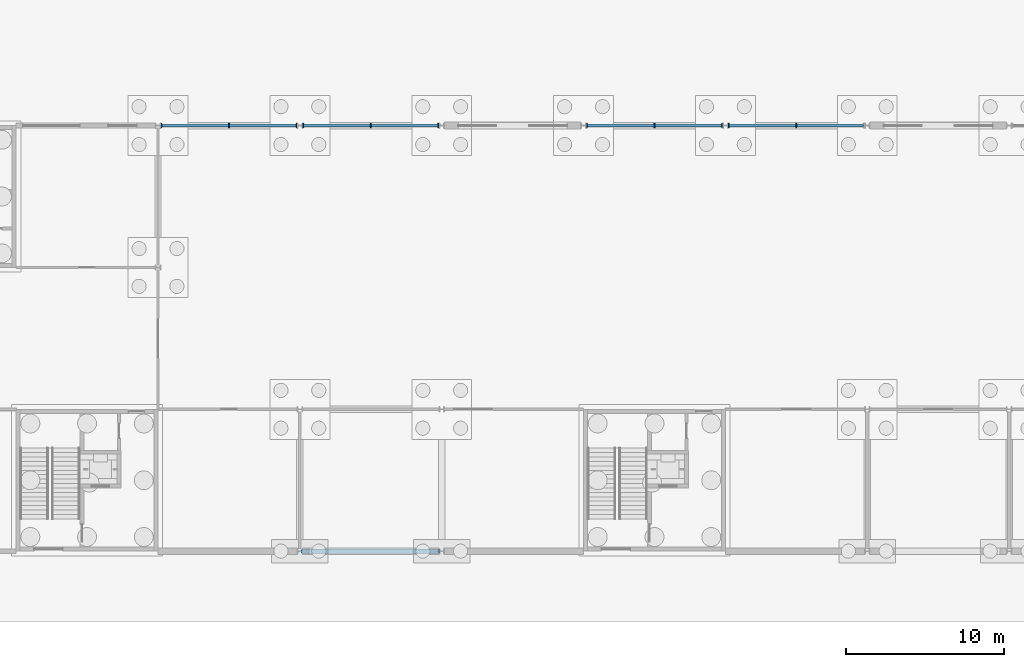
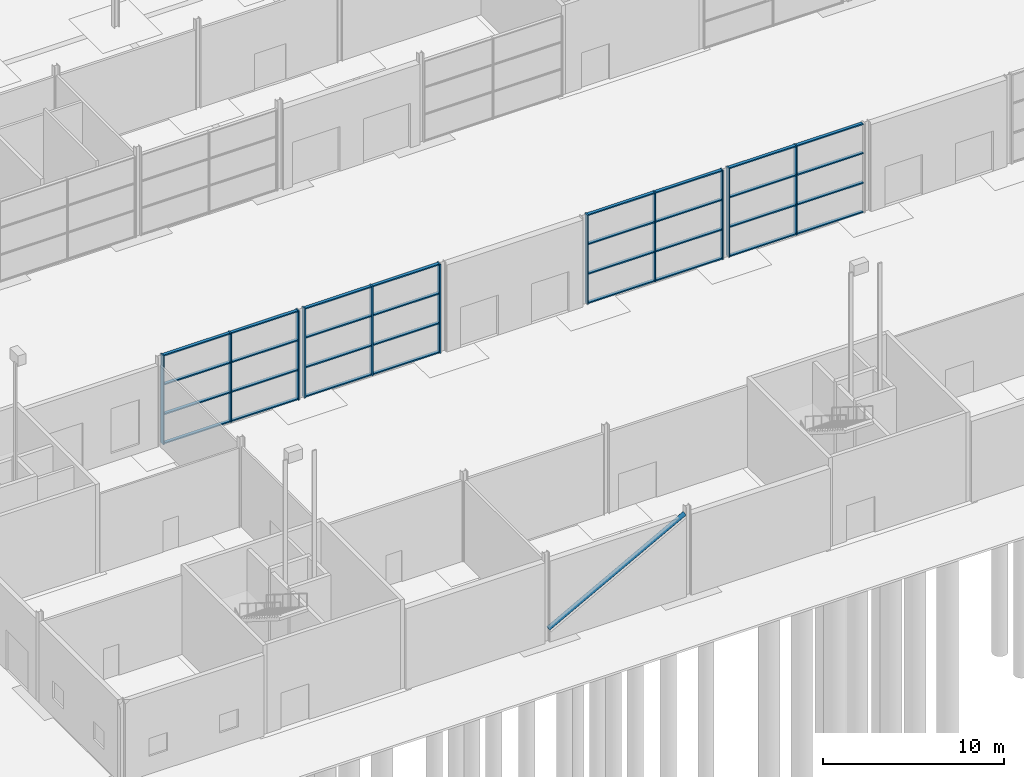
# One storey, part 32 of 97: 44 members, 4 elements without a shape of their own.
"""IFC4 building model written with IfcOpenShell, lengths in metres."""

from ifc_helpers import new_model, si_unit, direction, frame, origin, origin_2d, place, context, subcontext, project, spatial, rectangle, hollow_circle, extrude, material, layer, layer_set, material_profile, profile_set, type_object, element, aggregate, save


model = new_model("IFC4")

# Units and contexts
model_context = context("Model", 3, precision=1e-05, world=origin(), true_north=direction((0.0, 1.0)))
body_context = subcontext(model_context, "Body", "Model", "MODEL_VIEW")
ifc_project = project(units=[si_unit("LENGTHUNIT", "METRE"), si_unit("AREAUNIT", "SQUARE_METRE"), si_unit("VOLUMEUNIT", "CUBIC_METRE"), si_unit("PLANEANGLEUNIT", "RADIAN"), si_unit("MASSUNIT", "GRAM", prefix="KILO")], contexts=[model_context])

# Site, building, storey
site_placement = place(None, origin())
site = spatial("IfcSite", under=ifc_project, at=site_placement, CompositionType="ELEMENT")
building_placement = place(site_placement, origin())
building = spatial("IfcBuilding", under=site, at=building_placement, Name="Corbel Yard City Hall", CompositionType="ELEMENT")
storey_placement = place(building_placement, origin())
storey = spatial("IfcBuildingStorey", under=building, at=storey_placement, Name="L00", CompositionType="ELEMENT", Elevation=0.0)

# Member
ifc_material_1 = material(Name="Steel Grade C350L0", Category="steel")
ifc_material_profile_1 = material_profile(ifc_material_1, hollow_circle(Radius=0.136474609375, WallThickness=0.00927734375, at=origin_2d()), Name="273.1x9.3CHS")
ifc_profile_set_1 = profile_set([ifc_material_profile_1], Name="Steel Grade C350L0")
member_type_1 = type_object("IfcMemberType", Name="Braced bay diagonal 273.1x9.3CHS", PredefinedType="BRACE", material=ifc_profile_set_1)
member_1_placement = place(storey_placement, frame((27.157470703125, 0.0, 0.800048828125), z_axis=(0.879480850813, 0.0, 0.47593427388), x_axis=(0.0, 1.0, 0.0)))
element("IfcMember", 1, at=member_1_placement, inside=storey, type_object=member_type_1, Name="Brace 273.1x9.3CHS BR1", PredefinedType="BRACE", context=body_context, shape_type="SweptSolid", body=[
    extrude(hollow_circle(Radius=0.136474609375, WallThickness=0.00927734375, at=origin_2d()), origin(), (0.0, 0.0, 1.0), 9.875244140625),
])

# Curtain wall, members
ifc_material_2 = material(Name="Aluminium extrusion", Category="aluminium")
ifc_layer = layer(ifc_material_2, 0.300048828125)
ifc_layer_set = layer_set([ifc_layer], Name="Aluminium extrusion")
curtain_wall_type = type_object("IfcCurtainWallType", Name="CW7", PredefinedType="USERDEFINED", material=ifc_layer_set)
curtain_wall_1_placement = place(storey_placement, origin())
curtain_wall_1 = element("IfcCurtainWall", 2, at=curtain_wall_1_placement, inside=storey, type_object=curtain_wall_type, Name="Curtain wall CW7 L00", ObjectType="CURTAIN WALL", PredefinedType="USERDEFINED")
ifc_material_profile_2 = material_profile(ifc_material_2, rectangle(XDim=0.300048828125, YDim=0.080078125, at=origin_2d()), Name="300x80")
ifc_profile_set_2 = profile_set([ifc_material_profile_2], Name="Aluminium extrusion")
member_type_2 = type_object("IfcMemberType", Name="ML7", PredefinedType="MULLION", material=ifc_profile_set_2)
member_2_placement = place(storey_placement, frame((18.20361328125, 27.0, 0.0), z_axis=(0.0, 0.0, 1.0), x_axis=(0.0, 1.0, 0.0)))
member_2 = element("IfcMember", 3, at=member_2_placement, type_object=member_type_2, Name="CW7 mullion 1", PredefinedType="MULLION", context=body_context, shape_type="SweptSolid", body=[
    extrude(rectangle(XDim=0.300048828125, YDim=0.080078125, at=origin_2d()), origin(), (0.0, 0.0, 1.0), 6.0),
])
member_3_placement = place(storey_placement, frame((22.5, 27.0, 0.0), z_axis=(0.0, 0.0, 1.0), x_axis=(0.0, 1.0, 0.0)))
member_3 = element("IfcMember", 4, at=member_3_placement, type_object=member_type_2, Name="CW7 mullion 2", PredefinedType="MULLION", context=body_context, shape_type="SweptSolid", body=[
    extrude(rectangle(XDim=0.300048828125, YDim=0.080078125, at=origin_2d()), origin(), (0.0, 0.0, 1.0), 6.0),
])
member_4_placement = place(storey_placement, frame((26.79638671875, 27.0, 0.0), z_axis=(0.0, 0.0, 1.0), x_axis=(0.0, 1.0, 0.0)))
member_4 = element("IfcMember", 5, at=member_4_placement, type_object=member_type_2, Name="CW7 mullion 3", PredefinedType="MULLION", context=body_context, shape_type="SweptSolid", body=[
    extrude(rectangle(XDim=0.300048828125, YDim=0.080078125, at=origin_2d()), origin(), (0.0, 0.0, 1.0), 6.0),
])

curtain_wall_2_placement = place(storey_placement, origin())
curtain_wall_2 = element("IfcCurtainWall", 6, at=curtain_wall_2_placement, inside=storey, type_object=curtain_wall_type, Name="Curtain wall CW7 L00", ObjectType="CURTAIN WALL", PredefinedType="USERDEFINED")
member_5_placement = place(storey_placement, frame((27.20361328125, 27.0, 0.0), z_axis=(0.0, 0.0, 1.0), x_axis=(0.0, 1.0, 0.0)))
member_5 = element("IfcMember", 7, at=member_5_placement, type_object=member_type_2, Name="CW7 mullion 1", PredefinedType="MULLION", context=body_context, shape_type="SweptSolid", body=[
    extrude(rectangle(XDim=0.300048828125, YDim=0.080078125, at=origin_2d()), origin(), (0.0, 0.0, 1.0), 6.0),
])
member_6_placement = place(storey_placement, frame((31.5, 27.0, 0.0), z_axis=(0.0, 0.0, 1.0), x_axis=(0.0, 1.0, 0.0)))
member_6 = element("IfcMember", 8, at=member_6_placement, type_object=member_type_2, Name="CW7 mullion 2", PredefinedType="MULLION", context=body_context, shape_type="SweptSolid", body=[
    extrude(rectangle(XDim=0.300048828125, YDim=0.080078125, at=origin_2d()), origin(), (0.0, 0.0, 1.0), 6.0),
])
member_7_placement = place(storey_placement, frame((35.79638671875, 27.0, 0.0), z_axis=(0.0, 0.0, 1.0), x_axis=(0.0, 1.0, 0.0)))
member_7 = element("IfcMember", 9, at=member_7_placement, type_object=member_type_2, Name="CW7 mullion 3", PredefinedType="MULLION", context=body_context, shape_type="SweptSolid", body=[
    extrude(rectangle(XDim=0.300048828125, YDim=0.080078125, at=origin_2d()), origin(), (0.0, 0.0, 1.0), 6.0),
])

curtain_wall_3_placement = place(storey_placement, origin())
curtain_wall_3 = element("IfcCurtainWall", 10, at=curtain_wall_3_placement, inside=storey, type_object=curtain_wall_type, Name="Curtain wall CW7 L00", ObjectType="CURTAIN WALL", PredefinedType="USERDEFINED")
member_8_placement = place(storey_placement, frame((45.20361328125, 27.0, 0.0), z_axis=(0.0, 0.0, 1.0), x_axis=(0.0, 1.0, 0.0)))
member_8 = element("IfcMember", 11, at=member_8_placement, type_object=member_type_2, Name="CW7 mullion 1", PredefinedType="MULLION", context=body_context, shape_type="SweptSolid", body=[
    extrude(rectangle(XDim=0.300048828125, YDim=0.080078125, at=origin_2d()), origin(), (0.0, 0.0, 1.0), 6.0),
])
member_9_placement = place(storey_placement, frame((49.5, 27.0, 0.0), z_axis=(0.0, 0.0, 1.0), x_axis=(0.0, 1.0, 0.0)))
member_9 = element("IfcMember", 12, at=member_9_placement, type_object=member_type_2, Name="CW7 mullion 2", PredefinedType="MULLION", context=body_context, shape_type="SweptSolid", body=[
    extrude(rectangle(XDim=0.300048828125, YDim=0.080078125, at=origin_2d()), origin(), (0.0, 0.0, 1.0), 6.0),
])
member_10_placement = place(storey_placement, frame((53.79638671875, 27.0, 0.0), z_axis=(0.0, 0.0, 1.0), x_axis=(0.0, 1.0, 0.0)))
member_10 = element("IfcMember", 13, at=member_10_placement, type_object=member_type_2, Name="CW7 mullion 3", PredefinedType="MULLION", context=body_context, shape_type="SweptSolid", body=[
    extrude(rectangle(XDim=0.300048828125, YDim=0.080078125, at=origin_2d()), origin(), (0.0, 0.0, 1.0), 6.0),
])

curtain_wall_4_placement = place(storey_placement, origin())
curtain_wall_4 = element("IfcCurtainWall", 14, at=curtain_wall_4_placement, inside=storey, type_object=curtain_wall_type, Name="Curtain wall CW7 L00", ObjectType="CURTAIN WALL", PredefinedType="USERDEFINED")
member_11_placement = place(storey_placement, frame((54.20361328125, 27.0, 0.0), z_axis=(0.0, 0.0, 1.0), x_axis=(0.0, 1.0, 0.0)))
member_11 = element("IfcMember", 15, at=member_11_placement, type_object=member_type_2, Name="CW7 mullion 1", PredefinedType="MULLION", context=body_context, shape_type="SweptSolid", body=[
    extrude(rectangle(XDim=0.300048828125, YDim=0.080078125, at=origin_2d()), origin(), (0.0, 0.0, 1.0), 6.0),
])
member_12_placement = place(storey_placement, frame((58.5, 27.0, 0.0), z_axis=(0.0, 0.0, 1.0), x_axis=(0.0, 1.0, 0.0)))
member_12 = element("IfcMember", 16, at=member_12_placement, type_object=member_type_2, Name="CW7 mullion 2", PredefinedType="MULLION", context=body_context, shape_type="SweptSolid", body=[
    extrude(rectangle(XDim=0.300048828125, YDim=0.080078125, at=origin_2d()), origin(), (0.0, 0.0, 1.0), 6.0),
])

# Member
ifc_material_profile_3 = material_profile(ifc_material_2, rectangle(XDim=0.199951171875, YDim=0.080078125, at=origin_2d()), Name="200x80")
ifc_profile_set_3 = profile_set([ifc_material_profile_3], Name="Aluminium extrusion")
member_type_3 = type_object("IfcMemberType", Name="TR7", PredefinedType="USERDEFINED", material=ifc_profile_set_3)
member_13_placement = place(storey_placement, frame((18.243408203125, 27.0, 0.0400390625), z_axis=(1.0, 0.0, 0.0), x_axis=(0.0, 1.0, 0.0)))
member_13 = element("IfcMember", 17, at=member_13_placement, type_object=member_type_3, Name="CW7 transom 1.1", ObjectType="TRANSOM", PredefinedType="USERDEFINED", context=body_context, shape_type="SweptSolid", body=[
    extrude(rectangle(XDim=0.199951171875, YDim=0.080078125, at=origin_2d()), origin(), (0.0, 0.0, 1.0), 4.216552734375),
])

member_14_placement = place(storey_placement, frame((18.243408203125, 27.0, 2.0), z_axis=(1.0, 0.0, 0.0), x_axis=(0.0, 1.0, 0.0)))
member_14 = element("IfcMember", 18, at=member_14_placement, type_object=member_type_3, Name="CW7 transom 1.2", ObjectType="TRANSOM", PredefinedType="USERDEFINED", context=body_context, shape_type="SweptSolid", body=[
    extrude(rectangle(XDim=0.199951171875, YDim=0.080078125, at=origin_2d()), origin(), (0.0, 0.0, 1.0), 4.216552734375),
])

member_15_placement = place(storey_placement, frame((18.243408203125, 27.0, 4.0), z_axis=(1.0, 0.0, 0.0), x_axis=(0.0, 1.0, 0.0)))
member_15 = element("IfcMember", 19, at=member_15_placement, type_object=member_type_3, Name="CW7 transom 1.3", ObjectType="TRANSOM", PredefinedType="USERDEFINED", context=body_context, shape_type="SweptSolid", body=[
    extrude(rectangle(XDim=0.199951171875, YDim=0.080078125, at=origin_2d()), origin(), (0.0, 0.0, 1.0), 4.216552734375),
])

member_16_placement = place(storey_placement, frame((18.243408203125, 27.0, 5.9599609375), z_axis=(1.0, 0.0, 0.0), x_axis=(0.0, 1.0, 0.0)))
member_16 = element("IfcMember", 20, at=member_16_placement, type_object=member_type_3, Name="CW7 transom 1.4", ObjectType="TRANSOM", PredefinedType="USERDEFINED", context=body_context, shape_type="SweptSolid", body=[
    extrude(rectangle(XDim=0.199951171875, YDim=0.080078125, at=origin_2d()), origin(), (0.0, 0.0, 1.0), 4.216552734375),
])

member_17_placement = place(storey_placement, frame((22.5400390625, 27.0, 0.0400390625), z_axis=(1.0, 0.0, 0.0), x_axis=(0.0, 1.0, 0.0)))
member_17 = element("IfcMember", 21, at=member_17_placement, type_object=member_type_3, Name="CW7 transom 2.1", ObjectType="TRANSOM", PredefinedType="USERDEFINED", context=body_context, shape_type="SweptSolid", body=[
    extrude(rectangle(XDim=0.199951171875, YDim=0.080078125, at=origin_2d()), origin(), (0.0, 0.0, 1.0), 4.216552734375),
])

member_18_placement = place(storey_placement, frame((22.5400390625, 27.0, 2.0), z_axis=(1.0, 0.0, 0.0), x_axis=(0.0, 1.0, 0.0)))
member_18 = element("IfcMember", 22, at=member_18_placement, type_object=member_type_3, Name="CW7 transom 2.2", ObjectType="TRANSOM", PredefinedType="USERDEFINED", context=body_context, shape_type="SweptSolid", body=[
    extrude(rectangle(XDim=0.199951171875, YDim=0.080078125, at=origin_2d()), origin(), (0.0, 0.0, 1.0), 4.216552734375),
])

member_19_placement = place(storey_placement, frame((22.5400390625, 27.0, 4.0), z_axis=(1.0, 0.0, 0.0), x_axis=(0.0, 1.0, 0.0)))
member_19 = element("IfcMember", 23, at=member_19_placement, type_object=member_type_3, Name="CW7 transom 2.3", ObjectType="TRANSOM", PredefinedType="USERDEFINED", context=body_context, shape_type="SweptSolid", body=[
    extrude(rectangle(XDim=0.199951171875, YDim=0.080078125, at=origin_2d()), origin(), (0.0, 0.0, 1.0), 4.216552734375),
])

member_20_placement = place(storey_placement, frame((22.5400390625, 27.0, 5.9599609375), z_axis=(1.0, 0.0, 0.0), x_axis=(0.0, 1.0, 0.0)))
member_20 = element("IfcMember", 24, at=member_20_placement, type_object=member_type_3, Name="CW7 transom 2.4", ObjectType="TRANSOM", PredefinedType="USERDEFINED", context=body_context, shape_type="SweptSolid", body=[
    extrude(rectangle(XDim=0.199951171875, YDim=0.080078125, at=origin_2d()), origin(), (0.0, 0.0, 1.0), 4.216552734375),
])

aggregate(curtain_wall_1, [member_2, member_3, member_4, member_13, member_14, member_15, member_16, member_17, member_18, member_19, member_20])

member_21_placement = place(storey_placement, frame((27.243408203125, 27.0, 0.0400390625), z_axis=(1.0, 0.0, 0.0), x_axis=(0.0, 1.0, 0.0)))
member_21 = element("IfcMember", 25, at=member_21_placement, type_object=member_type_3, Name="CW7 transom 1.1", ObjectType="TRANSOM", PredefinedType="USERDEFINED", context=body_context, shape_type="SweptSolid", body=[
    extrude(rectangle(XDim=0.199951171875, YDim=0.080078125, at=origin_2d()), origin(), (0.0, 0.0, 1.0), 4.216552734375),
])

member_22_placement = place(storey_placement, frame((27.243408203125, 27.0, 2.0), z_axis=(1.0, 0.0, 0.0), x_axis=(0.0, 1.0, 0.0)))
member_22 = element("IfcMember", 26, at=member_22_placement, type_object=member_type_3, Name="CW7 transom 1.2", ObjectType="TRANSOM", PredefinedType="USERDEFINED", context=body_context, shape_type="SweptSolid", body=[
    extrude(rectangle(XDim=0.199951171875, YDim=0.080078125, at=origin_2d()), origin(), (0.0, 0.0, 1.0), 4.216552734375),
])

member_23_placement = place(storey_placement, frame((27.243408203125, 27.0, 4.0), z_axis=(1.0, 0.0, 0.0), x_axis=(0.0, 1.0, 0.0)))
member_23 = element("IfcMember", 27, at=member_23_placement, type_object=member_type_3, Name="CW7 transom 1.3", ObjectType="TRANSOM", PredefinedType="USERDEFINED", context=body_context, shape_type="SweptSolid", body=[
    extrude(rectangle(XDim=0.199951171875, YDim=0.080078125, at=origin_2d()), origin(), (0.0, 0.0, 1.0), 4.216552734375),
])

member_24_placement = place(storey_placement, frame((27.243408203125, 27.0, 5.9599609375), z_axis=(1.0, 0.0, 0.0), x_axis=(0.0, 1.0, 0.0)))
member_24 = element("IfcMember", 28, at=member_24_placement, type_object=member_type_3, Name="CW7 transom 1.4", ObjectType="TRANSOM", PredefinedType="USERDEFINED", context=body_context, shape_type="SweptSolid", body=[
    extrude(rectangle(XDim=0.199951171875, YDim=0.080078125, at=origin_2d()), origin(), (0.0, 0.0, 1.0), 4.216552734375),
])

member_25_placement = place(storey_placement, frame((31.5400390625, 27.0, 0.0400390625), z_axis=(1.0, 0.0, 0.0), x_axis=(0.0, 1.0, 0.0)))
member_25 = element("IfcMember", 29, at=member_25_placement, type_object=member_type_3, Name="CW7 transom 2.1", ObjectType="TRANSOM", PredefinedType="USERDEFINED", context=body_context, shape_type="SweptSolid", body=[
    extrude(rectangle(XDim=0.199951171875, YDim=0.080078125, at=origin_2d()), origin(), (0.0, 0.0, 1.0), 4.216552734375),
])

member_26_placement = place(storey_placement, frame((31.5400390625, 27.0, 2.0), z_axis=(1.0, 0.0, 0.0), x_axis=(0.0, 1.0, 0.0)))
member_26 = element("IfcMember", 30, at=member_26_placement, type_object=member_type_3, Name="CW7 transom 2.2", ObjectType="TRANSOM", PredefinedType="USERDEFINED", context=body_context, shape_type="SweptSolid", body=[
    extrude(rectangle(XDim=0.199951171875, YDim=0.080078125, at=origin_2d()), origin(), (0.0, 0.0, 1.0), 4.216552734375),
])

member_27_placement = place(storey_placement, frame((31.5400390625, 27.0, 4.0), z_axis=(1.0, 0.0, 0.0), x_axis=(0.0, 1.0, 0.0)))
member_27 = element("IfcMember", 31, at=member_27_placement, type_object=member_type_3, Name="CW7 transom 2.3", ObjectType="TRANSOM", PredefinedType="USERDEFINED", context=body_context, shape_type="SweptSolid", body=[
    extrude(rectangle(XDim=0.199951171875, YDim=0.080078125, at=origin_2d()), origin(), (0.0, 0.0, 1.0), 4.216552734375),
])

member_28_placement = place(storey_placement, frame((31.5400390625, 27.0, 5.9599609375), z_axis=(1.0, 0.0, 0.0), x_axis=(0.0, 1.0, 0.0)))
member_28 = element("IfcMember", 32, at=member_28_placement, type_object=member_type_3, Name="CW7 transom 2.4", ObjectType="TRANSOM", PredefinedType="USERDEFINED", context=body_context, shape_type="SweptSolid", body=[
    extrude(rectangle(XDim=0.199951171875, YDim=0.080078125, at=origin_2d()), origin(), (0.0, 0.0, 1.0), 4.216552734375),
])

aggregate(curtain_wall_2, [member_5, member_6, member_7, member_21, member_22, member_23, member_24, member_25, member_26, member_27, member_28])

member_29_placement = place(storey_placement, frame((45.243408203125, 27.0, 0.0400390625), z_axis=(1.0, 0.0, 0.0), x_axis=(0.0, 1.0, 0.0)))
member_29 = element("IfcMember", 33, at=member_29_placement, type_object=member_type_3, Name="CW7 transom 1.1", ObjectType="TRANSOM", PredefinedType="USERDEFINED", context=body_context, shape_type="SweptSolid", body=[
    extrude(rectangle(XDim=0.199951171875, YDim=0.080078125, at=origin_2d()), origin(), (0.0, 0.0, 1.0), 4.216552734375),
])

member_30_placement = place(storey_placement, frame((45.243408203125, 27.0, 2.0), z_axis=(1.0, 0.0, 0.0), x_axis=(0.0, 1.0, 0.0)))
member_30 = element("IfcMember", 34, at=member_30_placement, type_object=member_type_3, Name="CW7 transom 1.2", ObjectType="TRANSOM", PredefinedType="USERDEFINED", context=body_context, shape_type="SweptSolid", body=[
    extrude(rectangle(XDim=0.199951171875, YDim=0.080078125, at=origin_2d()), origin(), (0.0, 0.0, 1.0), 4.216552734375),
])

member_31_placement = place(storey_placement, frame((45.243408203125, 27.0, 4.0), z_axis=(1.0, 0.0, 0.0), x_axis=(0.0, 1.0, 0.0)))
member_31 = element("IfcMember", 35, at=member_31_placement, type_object=member_type_3, Name="CW7 transom 1.3", ObjectType="TRANSOM", PredefinedType="USERDEFINED", context=body_context, shape_type="SweptSolid", body=[
    extrude(rectangle(XDim=0.199951171875, YDim=0.080078125, at=origin_2d()), origin(), (0.0, 0.0, 1.0), 4.216552734375),
])

member_32_placement = place(storey_placement, frame((45.243408203125, 27.0, 5.9599609375), z_axis=(1.0, 0.0, 0.0), x_axis=(0.0, 1.0, 0.0)))
member_32 = element("IfcMember", 36, at=member_32_placement, type_object=member_type_3, Name="CW7 transom 1.4", ObjectType="TRANSOM", PredefinedType="USERDEFINED", context=body_context, shape_type="SweptSolid", body=[
    extrude(rectangle(XDim=0.199951171875, YDim=0.080078125, at=origin_2d()), origin(), (0.0, 0.0, 1.0), 4.216552734375),
])

member_33_placement = place(storey_placement, frame((49.5400390625, 27.0, 0.0400390625), z_axis=(1.0, 0.0, 0.0), x_axis=(0.0, 1.0, 0.0)))
member_33 = element("IfcMember", 37, at=member_33_placement, type_object=member_type_3, Name="CW7 transom 2.1", ObjectType="TRANSOM", PredefinedType="USERDEFINED", context=body_context, shape_type="SweptSolid", body=[
    extrude(rectangle(XDim=0.199951171875, YDim=0.080078125, at=origin_2d()), origin(), (0.0, 0.0, 1.0), 4.216552734375),
])

member_34_placement = place(storey_placement, frame((49.5400390625, 27.0, 2.0), z_axis=(1.0, 0.0, 0.0), x_axis=(0.0, 1.0, 0.0)))
member_34 = element("IfcMember", 38, at=member_34_placement, type_object=member_type_3, Name="CW7 transom 2.2", ObjectType="TRANSOM", PredefinedType="USERDEFINED", context=body_context, shape_type="SweptSolid", body=[
    extrude(rectangle(XDim=0.199951171875, YDim=0.080078125, at=origin_2d()), origin(), (0.0, 0.0, 1.0), 4.216552734375),
])

member_35_placement = place(storey_placement, frame((49.5400390625, 27.0, 4.0), z_axis=(1.0, 0.0, 0.0), x_axis=(0.0, 1.0, 0.0)))
member_35 = element("IfcMember", 39, at=member_35_placement, type_object=member_type_3, Name="CW7 transom 2.3", ObjectType="TRANSOM", PredefinedType="USERDEFINED", context=body_context, shape_type="SweptSolid", body=[
    extrude(rectangle(XDim=0.199951171875, YDim=0.080078125, at=origin_2d()), origin(), (0.0, 0.0, 1.0), 4.216552734375),
])

member_36_placement = place(storey_placement, frame((49.5400390625, 27.0, 5.9599609375), z_axis=(1.0, 0.0, 0.0), x_axis=(0.0, 1.0, 0.0)))
member_36 = element("IfcMember", 40, at=member_36_placement, type_object=member_type_3, Name="CW7 transom 2.4", ObjectType="TRANSOM", PredefinedType="USERDEFINED", context=body_context, shape_type="SweptSolid", body=[
    extrude(rectangle(XDim=0.199951171875, YDim=0.080078125, at=origin_2d()), origin(), (0.0, 0.0, 1.0), 4.216552734375),
])

aggregate(curtain_wall_3, [member_8, member_9, member_10, member_29, member_30, member_31, member_32, member_33, member_34, member_35, member_36])

member_37_placement = place(storey_placement, frame((54.243408203125, 27.0, 0.0400390625), z_axis=(1.0, 0.0, 0.0), x_axis=(0.0, 1.0, 0.0)))
member_37 = element("IfcMember", 41, at=member_37_placement, type_object=member_type_3, Name="CW7 transom 1.1", ObjectType="TRANSOM", PredefinedType="USERDEFINED", context=body_context, shape_type="SweptSolid", body=[
    extrude(rectangle(XDim=0.199951171875, YDim=0.080078125, at=origin_2d()), origin(), (0.0, 0.0, 1.0), 4.216552734375),
])

member_38_placement = place(storey_placement, frame((54.243408203125, 27.0, 2.0), z_axis=(1.0, 0.0, 0.0), x_axis=(0.0, 1.0, 0.0)))
member_38 = element("IfcMember", 42, at=member_38_placement, type_object=member_type_3, Name="CW7 transom 1.2", ObjectType="TRANSOM", PredefinedType="USERDEFINED", context=body_context, shape_type="SweptSolid", body=[
    extrude(rectangle(XDim=0.199951171875, YDim=0.080078125, at=origin_2d()), origin(), (0.0, 0.0, 1.0), 4.216552734375),
])

member_39_placement = place(storey_placement, frame((54.243408203125, 27.0, 4.0), z_axis=(1.0, 0.0, 0.0), x_axis=(0.0, 1.0, 0.0)))
member_39 = element("IfcMember", 43, at=member_39_placement, type_object=member_type_3, Name="CW7 transom 1.3", ObjectType="TRANSOM", PredefinedType="USERDEFINED", context=body_context, shape_type="SweptSolid", body=[
    extrude(rectangle(XDim=0.199951171875, YDim=0.080078125, at=origin_2d()), origin(), (0.0, 0.0, 1.0), 4.216552734375),
])

member_40_placement = place(storey_placement, frame((54.243408203125, 27.0, 5.9599609375), z_axis=(1.0, 0.0, 0.0), x_axis=(0.0, 1.0, 0.0)))
member_40 = element("IfcMember", 44, at=member_40_placement, type_object=member_type_3, Name="CW7 transom 1.4", ObjectType="TRANSOM", PredefinedType="USERDEFINED", context=body_context, shape_type="SweptSolid", body=[
    extrude(rectangle(XDim=0.199951171875, YDim=0.080078125, at=origin_2d()), origin(), (0.0, 0.0, 1.0), 4.216552734375),
])

member_41_placement = place(storey_placement, frame((58.5400390625, 27.0, 0.0400390625), z_axis=(1.0, 0.0, 0.0), x_axis=(0.0, 1.0, 0.0)))
member_41 = element("IfcMember", 45, at=member_41_placement, type_object=member_type_3, Name="CW7 transom 2.1", ObjectType="TRANSOM", PredefinedType="USERDEFINED", context=body_context, shape_type="SweptSolid", body=[
    extrude(rectangle(XDim=0.199951171875, YDim=0.080078125, at=origin_2d()), origin(), (0.0, 0.0, 1.0), 4.216552734375),
])

member_42_placement = place(storey_placement, frame((58.5400390625, 27.0, 2.0), z_axis=(1.0, 0.0, 0.0), x_axis=(0.0, 1.0, 0.0)))
member_42 = element("IfcMember", 46, at=member_42_placement, type_object=member_type_3, Name="CW7 transom 2.2", ObjectType="TRANSOM", PredefinedType="USERDEFINED", context=body_context, shape_type="SweptSolid", body=[
    extrude(rectangle(XDim=0.199951171875, YDim=0.080078125, at=origin_2d()), origin(), (0.0, 0.0, 1.0), 4.216552734375),
])

member_43_placement = place(storey_placement, frame((58.5400390625, 27.0, 4.0), z_axis=(1.0, 0.0, 0.0), x_axis=(0.0, 1.0, 0.0)))
member_43 = element("IfcMember", 47, at=member_43_placement, type_object=member_type_3, Name="CW7 transom 2.3", ObjectType="TRANSOM", PredefinedType="USERDEFINED", context=body_context, shape_type="SweptSolid", body=[
    extrude(rectangle(XDim=0.199951171875, YDim=0.080078125, at=origin_2d()), origin(), (0.0, 0.0, 1.0), 4.216552734375),
])

member_44_placement = place(storey_placement, frame((58.5400390625, 27.0, 5.9599609375), z_axis=(1.0, 0.0, 0.0), x_axis=(0.0, 1.0, 0.0)))
member_44 = element("IfcMember", 48, at=member_44_placement, type_object=member_type_3, Name="CW7 transom 2.4", ObjectType="TRANSOM", PredefinedType="USERDEFINED", context=body_context, shape_type="SweptSolid", body=[
    extrude(rectangle(XDim=0.199951171875, YDim=0.080078125, at=origin_2d()), origin(), (0.0, 0.0, 1.0), 4.216552734375),
])

aggregate(curtain_wall_4, [member_11, member_12, member_37, member_38, member_39, member_40, member_41, member_42, member_43, member_44])

save(model, "model.ifc")
